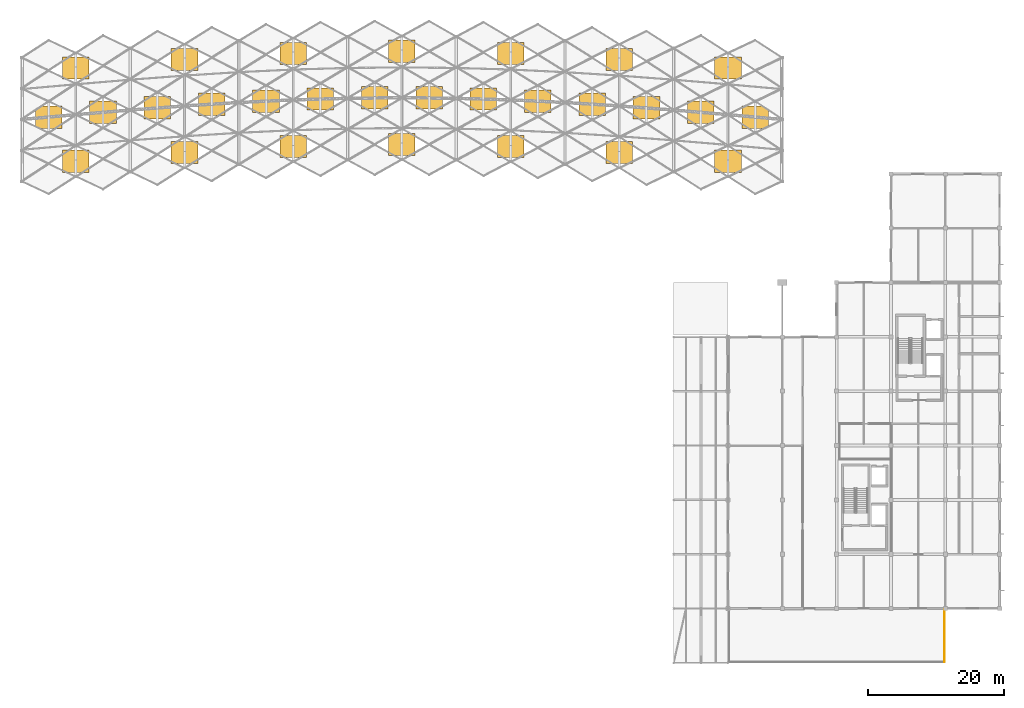
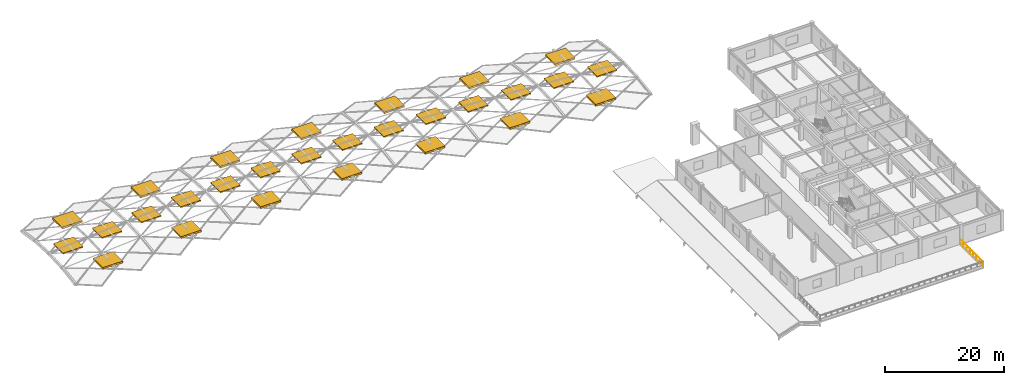
# One storey, part 25 of 27: 28 shading devices, 1 railing.
"""IFC4 building model written with IfcOpenShell, lengths in metres."""

from ifc_helpers import new_model, si_unit, direction, frame, origin, origin_2d, place, context, subcontext, project, spatial, rectangle, circle, extrude, material, type_object, element, save


model = new_model("IFC4")

# Units and contexts
model_context = context("Model", 3, precision=1e-05, world=origin(), true_north=direction((0.0, 1.0)))
body_context = subcontext(model_context, "Body", "Model", "MODEL_VIEW")
ifc_project = project(units=[si_unit("LENGTHUNIT", "METRE"), si_unit("AREAUNIT", "SQUARE_METRE"), si_unit("VOLUMEUNIT", "CUBIC_METRE"), si_unit("PLANEANGLEUNIT", "RADIAN"), si_unit("MASSUNIT", "GRAM", prefix="KILO")], contexts=[model_context])

# Site, building, storey
site_placement = place(None, origin())
site = spatial("IfcSite", under=ifc_project, at=site_placement, CompositionType="ELEMENT")
building_placement = place(site_placement, origin())
building = spatial("IfcBuilding", under=site, at=building_placement, Name="Kenh Van Central Station", CompositionType="ELEMENT")
storey_placement = place(building_placement, frame((0.0, 0.0, 19.199951171875)))
storey = spatial("IfcBuildingStorey", under=building, at=storey_placement, Name="L04", CompositionType="ELEMENT", Elevation=19.199951171875)

# Railing
ifc_material = material(Name="Champagne anodised aluminium", Category="aluminium")
railing_type = type_object("IfcRailingType", Name="RAIL-TERR-GRD115", PredefinedType="GUARDRAIL", material=ifc_material)
railing_placement = place(storey_placement, frame((167.85009765625, 8.14990234375, 0.0)))
element("IfcRailing", 1, at=railing_placement, inside=storey, type_object=railing_type, Name="L04 terrace guardrail 14", PredefinedType="GUARDRAIL", context=body_context, shape_type="SweptSolid", body=[
    extrude(circle(Radius=0.02392578125, at=origin_2d()), frame((0.0, 0.0, 1.1259765625), z_axis=(0.0, 1.0, 0.0), x_axis=(-1.0, 0.0, 0.0)), (0.0, 0.0, 1.0), 7.7001953125),
    extrude(circle(Radius=0.02099609375, at=origin_2d()), origin(), (0.0, 0.0, 1.0), 1.101806640625),
    extrude(circle(Radius=0.02099609375, at=origin_2d()), frame((0.0, 1.10009765625, 0.0)), (0.0, 0.0, 1.0), 1.101806640625),
    extrude(circle(Radius=0.02099609375, at=origin_2d()), frame((0.0, 2.199951171875, 0.0)), (0.0, 0.0, 1.0), 1.101806640625),
    extrude(circle(Radius=0.02099609375, at=origin_2d()), frame((0.0, 3.300048828125, 0.0)), (0.0, 0.0, 1.0), 1.101806640625),
    extrude(circle(Radius=0.02099609375, at=origin_2d()), frame((0.0, 4.400146484375, 0.0)), (0.0, 0.0, 1.0), 1.101806640625),
    extrude(circle(Radius=0.02099609375, at=origin_2d()), frame((0.0, 5.500244140625, 0.0)), (0.0, 0.0, 1.0), 1.101806640625),
    extrude(circle(Radius=0.02099609375, at=origin_2d()), frame((0.0, 6.60009765625, 0.0)), (0.0, 0.0, 1.0), 1.101806640625),
    extrude(circle(Radius=0.02099609375, at=origin_2d()), frame((0.0, 7.7001953125, 0.0)), (0.0, 0.0, 1.0), 1.101806640625),
])

# Shading devices
shading_device_type = type_object("IfcShadingDeviceType", Name="SHD-LOUVRE-JAL", PredefinedType="JALOUSIE", material=ifc_material)
shading_device_1_placement = place(storey_placement, frame((36.0, 88.357177734375, 1.85205078125), z_axis=(0.0, 0.0, 1.0), x_axis=(1.0, 0.0, 0.0)))
element("IfcShadingDevice", 2, at=shading_device_1_placement, inside=storey, type_object=shading_device_type, Name="Vault monsoon ventilation louvre 01", PredefinedType="JALOUSIE", context=body_context, shape_type="SweptSolid", body=[
    extrude(rectangle(XDim=3.919921875, YDim=3.3017578125, at=origin_2d()), origin(), (0.0, 0.0, 1.0), 0.239990234375),
])
for number, where, z_axis, x_axis, name in (
    (3, (40.0, 81.858642578125, 1.26806640625), (0.0, 0.0, 1.0), (1.0, 0.0, 0.0), "Vault monsoon ventilation louvre 03"),
    (4, (40.0, 95.56103515625, 1.26806640625), (0.0, 0.0, 1.0), (1.0, 0.0, 0.0), "Vault monsoon ventilation louvre 04"),
):
    element("IfcShadingDevice", number, at=place(storey_placement, frame(where, z_axis=z_axis, x_axis=x_axis)), inside=storey, type_object=shading_device_type, Name=name, PredefinedType="JALOUSIE", context=body_context, shape_type="SweptSolid", body=[
        extrude(rectangle(XDim=3.919921875, YDim=3.263671875, at=origin_2d()), origin(), (0.0, 0.0, 1.0), 0.380859375),
    ])
for number, where, z_axis, x_axis, name in (
    (5, (44.0, 89.053466796875, 1.85205078125), (0.0, 0.0, 1.0), (1.0, 0.0, 0.0), "Vault monsoon ventilation louvre 06"),
    (6, (52.0, 89.697265625, 1.85205078125), (0.0, 0.0, 1.0), (1.0, 0.0, 0.0), "Vault monsoon ventilation louvre 09"),
):
    element("IfcShadingDevice", number, at=place(storey_placement, frame(where, z_axis=z_axis, x_axis=x_axis)), inside=storey, type_object=shading_device_type, Name=name, PredefinedType="JALOUSIE", context=body_context, shape_type="SweptSolid", body=[
        extrude(rectangle(XDim=3.919921875, YDim=3.3017578125, at=origin_2d()), origin(), (0.0, 0.0, 1.0), 0.239990234375),
    ])
for number, where, z_axis, x_axis, name in (
    (7, (56.0, 83.1376953125, 1.26806640625), (0.0, 0.0, 1.0), (1.0, 0.0, 0.0), "Vault monsoon ventilation louvre 11"),
    (8, (56.0, 96.840087890625, 1.26806640625), (0.0, 0.0, 1.0), (1.0, 0.0, 0.0), "Vault monsoon ventilation louvre 12"),
):
    element("IfcShadingDevice", number, at=place(storey_placement, frame(where, z_axis=z_axis, x_axis=x_axis)), inside=storey, type_object=shading_device_type, Name=name, PredefinedType="JALOUSIE", context=body_context, shape_type="SweptSolid", body=[
        extrude(rectangle(XDim=3.919921875, YDim=3.263671875, at=origin_2d()), origin(), (0.0, 0.0, 1.0), 0.380859375),
    ])
for number, where, z_axis, x_axis, name in (
    (9, (60.0, 90.255615234375, 1.85205078125), (0.0, 0.0, 1.0), (1.0, 0.0, 0.0), "Vault monsoon ventilation louvre 14"),
    (10, (68.0, 90.700927734375, 1.85205078125), (0.0, 0.0, 1.0), (1.0, 0.0, 0.0), "Vault monsoon ventilation louvre 17"),
):
    element("IfcShadingDevice", number, at=place(storey_placement, frame(where, z_axis=z_axis, x_axis=x_axis)), inside=storey, type_object=shading_device_type, Name=name, PredefinedType="JALOUSIE", context=body_context, shape_type="SweptSolid", body=[
        extrude(rectangle(XDim=3.919921875, YDim=3.3017578125, at=origin_2d()), origin(), (0.0, 0.0, 1.0), 0.239990234375),
    ])
for number, where, z_axis, x_axis, name in (
    (11, (72.0, 84.022705078125, 1.26806640625), (0.0, 0.0, 1.0), (1.0, 0.0, 0.0), "Vault monsoon ventilation louvre 19"),
    (12, (72.0, 97.725341796875, 1.26806640625), (0.0, 0.0, 1.0), (1.0, 0.0, 0.0), "Vault monsoon ventilation louvre 20"),
):
    element("IfcShadingDevice", number, at=place(storey_placement, frame(where, z_axis=z_axis, x_axis=x_axis)), inside=storey, type_object=shading_device_type, Name=name, PredefinedType="JALOUSIE", context=body_context, shape_type="SweptSolid", body=[
        extrude(rectangle(XDim=3.919921875, YDim=3.263671875, at=origin_2d()), origin(), (0.0, 0.0, 1.0), 0.380859375),
    ])
for number, where, z_axis, x_axis, name in (
    (13, (76.0, 91.010986328125, 1.85205078125), (0.0, 0.0, 1.0), (1.0, 0.0, 0.0), "Vault monsoon ventilation louvre 22"),
    (14, (84.0, 91.169921875, 1.85205078125), (0.0, 0.0, 1.0), (1.0, 0.0, 0.0), "Vault monsoon ventilation louvre 25"),
):
    element("IfcShadingDevice", number, at=place(storey_placement, frame(where, z_axis=z_axis, x_axis=x_axis)), inside=storey, type_object=shading_device_type, Name=name, PredefinedType="JALOUSIE", context=body_context, shape_type="SweptSolid", body=[
        extrude(rectangle(XDim=3.919921875, YDim=3.3017578125, at=origin_2d()), origin(), (0.0, 0.0, 1.0), 0.239990234375),
    ])
for number, where, z_axis, x_axis, name in (
    (15, (88.0, 84.338623046875, 1.26806640625), (0.0, 0.0, 1.0), (1.0, 0.0, 0.0), "Vault monsoon ventilation louvre 27"),
    (16, (88.0, 98.041259765625, 1.26806640625), (0.0, 0.0, 1.0), (1.0, 0.0, 0.0), "Vault monsoon ventilation louvre 28"),
):
    element("IfcShadingDevice", number, at=place(storey_placement, frame(where, z_axis=z_axis, x_axis=x_axis)), inside=storey, type_object=shading_device_type, Name=name, PredefinedType="JALOUSIE", context=body_context, shape_type="SweptSolid", body=[
        extrude(rectangle(XDim=3.919921875, YDim=3.263671875, at=origin_2d()), origin(), (0.0, 0.0, 1.0), 0.380859375),
    ])
for number, where, z_axis, x_axis, name in (
    (17, (92.0, 91.169921875, 1.85205078125), (0.0, 0.0, 1.0), (1.0, 0.0, 0.0), "Vault monsoon ventilation louvre 30"),
    (18, (100.0, 91.010986328125, 1.85205078125), (0.0, 0.0, 1.0), (1.0, 0.0, 0.0), "Vault monsoon ventilation louvre 33"),
):
    element("IfcShadingDevice", number, at=place(storey_placement, frame(where, z_axis=z_axis, x_axis=x_axis)), inside=storey, type_object=shading_device_type, Name=name, PredefinedType="JALOUSIE", context=body_context, shape_type="SweptSolid", body=[
        extrude(rectangle(XDim=3.919921875, YDim=3.3017578125, at=origin_2d()), origin(), (0.0, 0.0, 1.0), 0.239990234375),
    ])
for number, where, z_axis, x_axis, name in (
    (19, (104.0, 84.022705078125, 1.26806640625), (0.0, 0.0, 1.0), (1.0, 0.0, 0.0), "Vault monsoon ventilation louvre 35"),
    (20, (104.0, 97.725341796875, 1.26806640625), (0.0, 0.0, 1.0), (1.0, 0.0, 0.0), "Vault monsoon ventilation louvre 36"),
):
    element("IfcShadingDevice", number, at=place(storey_placement, frame(where, z_axis=z_axis, x_axis=x_axis)), inside=storey, type_object=shading_device_type, Name=name, PredefinedType="JALOUSIE", context=body_context, shape_type="SweptSolid", body=[
        extrude(rectangle(XDim=3.919921875, YDim=3.263671875, at=origin_2d()), origin(), (0.0, 0.0, 1.0), 0.380859375),
    ])
for number, where, z_axis, x_axis, name in (
    (21, (108.0, 90.700927734375, 1.85205078125), (0.0, 0.0, 1.0), (1.0, 0.0, 0.0), "Vault monsoon ventilation louvre 38"),
    (22, (116.0, 90.255615234375, 1.85205078125), (0.0, 0.0, 1.0), (1.0, 0.0, 0.0), "Vault monsoon ventilation louvre 41"),
):
    element("IfcShadingDevice", number, at=place(storey_placement, frame(where, z_axis=z_axis, x_axis=x_axis)), inside=storey, type_object=shading_device_type, Name=name, PredefinedType="JALOUSIE", context=body_context, shape_type="SweptSolid", body=[
        extrude(rectangle(XDim=3.919921875, YDim=3.3017578125, at=origin_2d()), origin(), (0.0, 0.0, 1.0), 0.239990234375),
    ])
for number, where, z_axis, x_axis, name in (
    (23, (120.0, 83.1376953125, 1.26806640625), (0.0, 0.0, 1.0), (1.0, 0.0, 0.0), "Vault monsoon ventilation louvre 43"),
    (24, (120.0, 96.840087890625, 1.26806640625), (0.0, 0.0, 1.0), (1.0, 0.0, 0.0), "Vault monsoon ventilation louvre 44"),
):
    element("IfcShadingDevice", number, at=place(storey_placement, frame(where, z_axis=z_axis, x_axis=x_axis)), inside=storey, type_object=shading_device_type, Name=name, PredefinedType="JALOUSIE", context=body_context, shape_type="SweptSolid", body=[
        extrude(rectangle(XDim=3.919921875, YDim=3.263671875, at=origin_2d()), origin(), (0.0, 0.0, 1.0), 0.380859375),
    ])
for number, where, z_axis, x_axis, name in (
    (25, (124.0, 89.697265625, 1.85205078125), (0.0, 0.0, 1.0), (1.0, 0.0, 0.0), "Vault monsoon ventilation louvre 46"),
    (26, (132.0, 89.053466796875, 1.85205078125), (0.0, 0.0, 1.0), (1.0, 0.0, 0.0), "Vault monsoon ventilation louvre 49"),
):
    element("IfcShadingDevice", number, at=place(storey_placement, frame(where, z_axis=z_axis, x_axis=x_axis)), inside=storey, type_object=shading_device_type, Name=name, PredefinedType="JALOUSIE", context=body_context, shape_type="SweptSolid", body=[
        extrude(rectangle(XDim=3.919921875, YDim=3.3017578125, at=origin_2d()), origin(), (0.0, 0.0, 1.0), 0.239990234375),
    ])
for number, where, z_axis, x_axis, name in (
    (27, (136.0, 81.858642578125, 1.26806640625), (0.0, 0.0, 1.0), (1.0, 0.0, 0.0), "Vault monsoon ventilation louvre 51"),
    (28, (136.0, 95.56103515625, 1.26806640625), (0.0, 0.0, 1.0), (1.0, 0.0, 0.0), "Vault monsoon ventilation louvre 52"),
):
    element("IfcShadingDevice", number, at=place(storey_placement, frame(where, z_axis=z_axis, x_axis=x_axis)), inside=storey, type_object=shading_device_type, Name=name, PredefinedType="JALOUSIE", context=body_context, shape_type="SweptSolid", body=[
        extrude(rectangle(XDim=3.919921875, YDim=3.263671875, at=origin_2d()), origin(), (0.0, 0.0, 1.0), 0.380859375),
    ])
shading_device_2_placement = place(storey_placement, frame((140.0, 88.357177734375, 1.85205078125), z_axis=(0.0, 0.0, 1.0), x_axis=(1.0, 0.0, 0.0)))
element("IfcShadingDevice", 29, at=shading_device_2_placement, inside=storey, type_object=shading_device_type, Name="Vault monsoon ventilation louvre 54", PredefinedType="JALOUSIE", context=body_context, shape_type="SweptSolid", body=[
    extrude(rectangle(XDim=3.919921875, YDim=3.3017578125, at=origin_2d()), origin(), (0.0, 0.0, 1.0), 0.239990234375),
])

save(model, "model.ifc")
